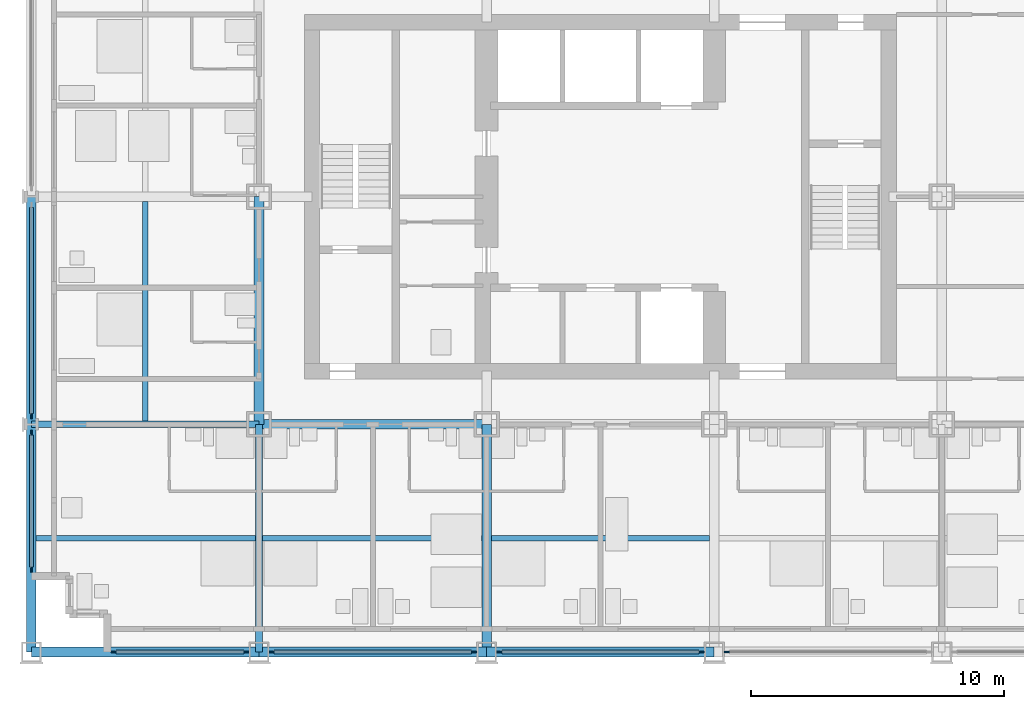
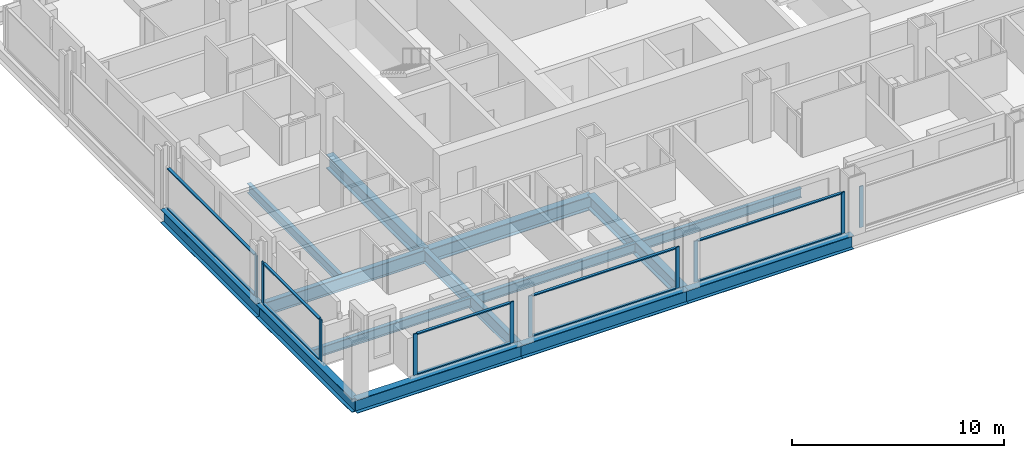
# One storey, part 2 of 19: 20 members, 14 beams, 6 elements without a shape of their own.
"""IFC4 building model written with IfcOpenShell, lengths in metres."""

from ifc_helpers import new_model, si_unit, direction, frame, origin, origin_2d, place, context, subcontext, project, spatial, rectangle, i_section, extrude, material, material_profile, profile_set, type_object, element, aggregate, save


model = new_model("IFC4")

# Units and contexts
model_context = context("Model", 3, precision=1e-05, world=origin(), true_north=direction((0.0, 1.0)))
body_context = subcontext(model_context, "Body", "Model", "MODEL_VIEW")
ifc_project = project(units=[si_unit("LENGTHUNIT", "METRE"), si_unit("AREAUNIT", "SQUARE_METRE"), si_unit("VOLUMEUNIT", "CUBIC_METRE"), si_unit("PLANEANGLEUNIT", "RADIAN"), si_unit("MASSUNIT", "GRAM", prefix="KILO")], contexts=[model_context])

# Site, building, storey
site_placement = place(None, origin())
site = spatial("IfcSite", under=ifc_project, at=site_placement, CompositionType="ELEMENT")
building_placement = place(site_placement, origin())
building = spatial("IfcBuilding", under=site, at=building_placement, Name="Loomwork Tower", CompositionType="ELEMENT")
storey_placement = place(building_placement, frame((0.0, 0.0, 85.800048828125)))
storey = spatial("IfcBuildingStorey", under=building, at=storey_placement, Name="L22", CompositionType="ELEMENT", Elevation=85.800048828125)

# Beams
ifc_material_1 = material(Name="Steel ASTM A992", Category="steel")
ifc_material_profile_1 = material_profile(ifc_material_1, i_section(OverallWidth=0.383544921875, OverallDepth=0.794921875, WebThickness=0.02099609375, FlangeThickness=0.0380859375, at=origin_2d()), Name="W30x235")
ifc_profile_set_1 = profile_set([ifc_material_profile_1], Name="Steel ASTM A992")
beam_type_1 = type_object("IfcBeamType", Name="CORE FLANK GIRDER W30x235", PredefinedType="BEAM", material=ifc_profile_set_1)
for number, where, z_axis, x_axis, name in (
    (1, (9.0, 9.0, -0.59765625), (1.0, 0.0, 0.0), (0.0, 1.0, 0.0), "Core Flank Girder E/3-E/4 L22"),
    (2, (9.0, 9.0, -0.59765625), (0.0, 1.0, 0.0), (-1.0, 0.0, 0.0), "Core Flank Girder E/3-F/3 L22"),
    (3, (18.0, 0.0, -0.59765625), (0.0, 1.0, 0.0), (-1.0, 0.0, 0.0), "Core Flank Girder D/4-E/4 L22"),
):
    element("IfcBeam", number, at=place(storey_placement, frame(where, z_axis=z_axis, x_axis=x_axis)), inside=storey, type_object=beam_type_1, Name=name, PredefinedType="BEAM", context=body_context, shape_type="SweptSolid", body=[
        extrude(i_section(OverallWidth=0.383544921875, OverallDepth=0.794921875, WebThickness=0.02099609375, FlangeThickness=0.0380859375, at=origin_2d()), origin(), (0.0, 0.0, 1.0), 9.0),
    ])
ifc_material_2 = material(Name="Steel ASTM A992", Category="steel")
ifc_material_profile_2 = material_profile(ifc_material_2, i_section(OverallWidth=0.2666015625, OverallDepth=0.761962890625, WebThickness=0.014404296875, FlangeThickness=0.021484375, at=origin_2d()), Name="W30x116")
ifc_profile_set_2 = profile_set([ifc_material_profile_2], Name="Steel ASTM A992")
beam_type_2 = type_object("IfcBeamType", Name="FLOOR GIRDER W30x116", PredefinedType="BEAM", material=ifc_profile_set_2)
for number, where, z_axis, x_axis, name in (
    (4, (0.0, 9.0, -0.5810546875), (1.0, 0.0, 0.0), (0.0, 1.0, 0.0), "Floor Girder E/2-E/3 L22"),
    (5, (9.0, 0.0, -0.5810546875), (0.0, 1.0, 0.0), (-1.0, 0.0, 0.0), "Floor Girder D/3-E/3 L22"),
):
    element("IfcBeam", number, at=place(storey_placement, frame(where, z_axis=z_axis, x_axis=x_axis)), inside=storey, type_object=beam_type_2, Name=name, PredefinedType="BEAM", context=body_context, shape_type="SweptSolid", body=[
        extrude(i_section(OverallWidth=0.2666015625, OverallDepth=0.761962890625, WebThickness=0.014404296875, FlangeThickness=0.021484375, at=origin_2d()), origin(), (0.0, 0.0, 1.0), 9.0),
    ])
ifc_material_3 = material(Name="Steel ASTM A992", Category="steel")
ifc_material_profile_3 = material_profile(ifc_material_3, i_section(OverallWidth=0.2109375, OverallDepth=0.53857421875, WebThickness=0.011474609375, FlangeThickness=0.018798828125, at=origin_2d()), Name="W21x73")
ifc_profile_set_3 = profile_set([ifc_material_profile_3], Name="Steel ASTM A992")
beam_type_3 = type_object("IfcBeamType", Name="FLOOR JOIST W21x73", PredefinedType="JOIST", material=ifc_profile_set_3)
beam_1_placement = place(storey_placement, frame((0.18994140625, 4.5, -0.46923828125), z_axis=(1.0, 0.0, 0.0), x_axis=(0.0, 1.0, 0.0)))
element("IfcBeam", 6, at=beam_1_placement, inside=storey, type_object=beam_type_3, Name="Floor Joist 0.000,4.500-9.000,4.500 L22", PredefinedType="JOIST", context=body_context, shape_type="SweptSolid", body=[
    extrude(i_section(OverallWidth=0.2109375, OverallDepth=0.53857421875, WebThickness=0.011474609375, FlangeThickness=0.018798828125, at=origin_2d()), origin(), (0.0, 0.0, 1.0), 8.677001953125),
])
for number, where, z_axis, x_axis, name in (
    (7, (4.5, 9.133056640625, -0.46923828125), (0.0, 1.0, 0.0), (-1.0, 0.0, 0.0), "Floor Joist 4.500,9.000-4.500,18.000 L22"),
    (8, (9.133056640625, 4.5, -0.46923828125), (1.0, 0.0, 0.0), (0.0, 1.0, 0.0), "Floor Joist 9.000,4.500-18.000,4.500 L22"),
):
    element("IfcBeam", number, at=place(storey_placement, frame(where, z_axis=z_axis, x_axis=x_axis)), inside=storey, type_object=beam_type_3, Name=name, PredefinedType="JOIST", context=body_context, shape_type="SweptSolid", body=[
        extrude(i_section(OverallWidth=0.2109375, OverallDepth=0.53857421875, WebThickness=0.011474609375, FlangeThickness=0.018798828125, at=origin_2d()), origin(), (0.0, 0.0, 1.0), 8.676025390625),
    ])
beam_2_placement = place(storey_placement, frame((18.19091796875, 4.5, -0.46923828125), z_axis=(1.0, 0.0, 0.0), x_axis=(0.0, 1.0, 0.0)))
element("IfcBeam", 9, at=beam_2_placement, inside=storey, type_object=beam_type_3, Name="Floor Joist 18.000,4.500-27.000,4.500 L22", PredefinedType="JOIST", context=body_context, shape_type="SweptSolid", body=[
    extrude(i_section(OverallWidth=0.2109375, OverallDepth=0.53857421875, WebThickness=0.011474609375, FlangeThickness=0.018798828125, at=origin_2d()), origin(), (0.0, 0.0, 1.0), 8.6181640625),
])

# Curtain wall, members
ifc_material_4 = material(Name="Aluminium curtain wall frame", Category="aluminium")
curtain_wall_type = type_object("IfcCurtainWallType", Name="Outer skin glazing hotel", PredefinedType="NOTDEFINED", material=ifc_material_4)
curtain_wall_1_placement = place(storey_placement, origin())
curtain_wall_1 = element("IfcCurtainWall", 10, at=curtain_wall_1_placement, inside=storey, type_object=curtain_wall_type, Name="Outer skin glazing hotel cw/S-0", PredefinedType="NOTDEFINED")
ifc_material_5 = material(Name="Aluminium curtain wall frame", Category="aluminium")
ifc_material_profile_4 = material_profile(ifc_material_5, rectangle(XDim=0.06494140625, YDim=0.199951171875, at=origin_2d()), Name="AL 65x200")
ifc_profile_set_4 = profile_set([ifc_material_profile_4], Name="Aluminium curtain wall frame")
member_type_1 = type_object("IfcMemberType", Name="Outer skin glazing hotel mullion", PredefinedType="MULLION", material=ifc_profile_set_4)
member_1_placement = place(storey_placement, frame((3.25, 0.0, 0.0), z_axis=(0.0, 0.0, 1.0), x_axis=(0.0, 1.0, 0.0)))
member_1 = element("IfcMember", 11, at=member_1_placement, type_object=member_type_1, Name="CW1 mullion 1", PredefinedType="MULLION", context=body_context, shape_type="SweptSolid", body=[
    extrude(rectangle(XDim=0.06494140625, YDim=0.199951171875, at=origin_2d()), origin(), (0.0, 0.0, 1.0), 2.3701171875),
])
member_2_placement = place(storey_placement, frame((8.5, 0.0, 0.0), z_axis=(0.0, 0.0, 1.0), x_axis=(0.0, 1.0, 0.0)))
member_2 = element("IfcMember", 12, at=member_2_placement, type_object=member_type_1, Name="CW1 mullion 2", PredefinedType="MULLION", context=body_context, shape_type="SweptSolid", body=[
    extrude(rectangle(XDim=0.06494140625, YDim=0.199951171875, at=origin_2d()), origin(), (0.0, 0.0, 1.0), 2.3701171875),
])

curtain_wall_2_placement = place(storey_placement, origin())
curtain_wall_2 = element("IfcCurtainWall", 13, at=curtain_wall_2_placement, inside=storey, type_object=curtain_wall_type, Name="Outer skin glazing hotel cw/S-9", PredefinedType="NOTDEFINED")
member_3_placement = place(storey_placement, frame((9.5, 0.0, 0.0), z_axis=(0.0, 0.0, 1.0), x_axis=(0.0, 1.0, 0.0)))
member_3 = element("IfcMember", 14, at=member_3_placement, type_object=member_type_1, Name="CW1 mullion 1", PredefinedType="MULLION", context=body_context, shape_type="SweptSolid", body=[
    extrude(rectangle(XDim=0.06494140625, YDim=0.199951171875, at=origin_2d()), origin(), (0.0, 0.0, 1.0), 2.3701171875),
])
member_4_placement = place(storey_placement, frame((17.5, 0.0, 0.0), z_axis=(0.0, 0.0, 1.0), x_axis=(0.0, 1.0, 0.0)))
member_4 = element("IfcMember", 15, at=member_4_placement, type_object=member_type_1, Name="CW1 mullion 2", PredefinedType="MULLION", context=body_context, shape_type="SweptSolid", body=[
    extrude(rectangle(XDim=0.06494140625, YDim=0.199951171875, at=origin_2d()), origin(), (0.0, 0.0, 1.0), 2.3701171875),
])

curtain_wall_3_placement = place(storey_placement, origin())
curtain_wall_3 = element("IfcCurtainWall", 16, at=curtain_wall_3_placement, inside=storey, type_object=curtain_wall_type, Name="Outer skin glazing hotel cw/S-18", PredefinedType="NOTDEFINED")
member_5_placement = place(storey_placement, frame((18.5, 0.0, 0.0), z_axis=(0.0, 0.0, 1.0), x_axis=(0.0, 1.0, 0.0)))
member_5 = element("IfcMember", 17, at=member_5_placement, type_object=member_type_1, Name="CW1 mullion 1", PredefinedType="MULLION", context=body_context, shape_type="SweptSolid", body=[
    extrude(rectangle(XDim=0.06494140625, YDim=0.199951171875, at=origin_2d()), origin(), (0.0, 0.0, 1.0), 2.3701171875),
])
member_6_placement = place(storey_placement, frame((26.5, 0.0, 0.0), z_axis=(0.0, 0.0, 1.0), x_axis=(0.0, 1.0, 0.0)))
member_6 = element("IfcMember", 18, at=member_6_placement, type_object=member_type_1, Name="CW1 mullion 2", PredefinedType="MULLION", context=body_context, shape_type="SweptSolid", body=[
    extrude(rectangle(XDim=0.06494140625, YDim=0.199951171875, at=origin_2d()), origin(), (0.0, 0.0, 1.0), 2.3701171875),
])

# Curtain wall, member
curtain_wall_4_placement = place(storey_placement, origin())
curtain_wall_4 = element("IfcCurtainWall", 19, at=curtain_wall_4_placement, inside=storey, type_object=curtain_wall_type, Name="Outer skin glazing hotel cw/S-27", PredefinedType="NOTDEFINED")
member_7_placement = place(storey_placement, frame((27.5, 0.0, 0.0), z_axis=(0.0, 0.0, 1.0), x_axis=(0.0, 1.0, 0.0)))
member_7 = element("IfcMember", 20, at=member_7_placement, type_object=member_type_1, Name="CW1 mullion 1", PredefinedType="MULLION", context=body_context, shape_type="SweptSolid", body=[
    extrude(rectangle(XDim=0.06494140625, YDim=0.199951171875, at=origin_2d()), origin(), (0.0, 0.0, 1.0), 2.3701171875),
])
aggregate(curtain_wall_4, [member_7])

# Curtain wall, members
curtain_wall_5_placement = place(storey_placement, origin())
curtain_wall_5 = element("IfcCurtainWall", 21, at=curtain_wall_5_placement, inside=storey, type_object=curtain_wall_type, Name="Outer skin glazing hotel cw/W-0", PredefinedType="NOTDEFINED")
member_8_placement = place(storey_placement, frame((0.0, 8.672607421875, 0.0), z_axis=(0.0, 0.0, 1.0), x_axis=(1.0, 0.0, 0.0)))
member_8 = element("IfcMember", 22, at=member_8_placement, type_object=member_type_1, Name="CW1 mullion 1", PredefinedType="MULLION", context=body_context, shape_type="SweptSolid", body=[
    extrude(rectangle(XDim=0.06494140625, YDim=0.199951171875, at=origin_2d()), origin(), (0.0, 0.0, 1.0), 2.3701171875),
])
member_9_placement = place(storey_placement, frame((0.0, 3.25, 0.0), z_axis=(0.0, 0.0, 1.0), x_axis=(1.0, 0.0, 0.0)))
member_9 = element("IfcMember", 23, at=member_9_placement, type_object=member_type_1, Name="CW1 mullion 2", PredefinedType="MULLION", context=body_context, shape_type="SweptSolid", body=[
    extrude(rectangle(XDim=0.06494140625, YDim=0.199951171875, at=origin_2d()), origin(), (0.0, 0.0, 1.0), 2.3701171875),
])

# Curtain wall, member
curtain_wall_6_placement = place(storey_placement, origin())
curtain_wall_6 = element("IfcCurtainWall", 24, at=curtain_wall_6_placement, inside=storey, type_object=curtain_wall_type, Name="Outer skin glazing hotel cw/W-9", PredefinedType="NOTDEFINED")
member_10_placement = place(storey_placement, frame((0.0, 9.327392578125, 0.0), z_axis=(0.0, 0.0, 1.0), x_axis=(1.0, 0.0, 0.0)))
member_10 = element("IfcMember", 25, at=member_10_placement, type_object=member_type_1, Name="CW1 mullion 2", PredefinedType="MULLION", context=body_context, shape_type="SweptSolid", body=[
    extrude(rectangle(XDim=0.06494140625, YDim=0.199951171875, at=origin_2d()), origin(), (0.0, 0.0, 1.0), 2.3701171875),
])

# Member
ifc_material_6 = material(Name="Aluminium curtain wall frame", Category="aluminium")
ifc_material_profile_5 = material_profile(ifc_material_6, rectangle(XDim=0.14990234375, YDim=0.06494140625, at=origin_2d()), Name="AL 65x150")
ifc_profile_set_5 = profile_set([ifc_material_profile_5], Name="Aluminium curtain wall frame")
member_type_2 = type_object("IfcMemberType", Name="Outer skin glazing hotel transom", PredefinedType="USERDEFINED", material=ifc_profile_set_5)
member_11_placement = place(storey_placement, frame((3.35009765625, 0.0, 0.032470703125), z_axis=(1.0, 0.0, 0.0), x_axis=(0.0, 1.0, 0.0)))
member_11 = element("IfcMember", 26, at=member_11_placement, type_object=member_type_2, Name="CW1 transom 1.1", ObjectType="TRANSOM", PredefinedType="USERDEFINED", context=body_context, shape_type="SweptSolid", body=[
    extrude(rectangle(XDim=0.14990234375, YDim=0.06494140625, at=origin_2d()), origin(), (0.0, 0.0, 1.0), 5.0498046875),
])

member_12_placement = place(storey_placement, frame((3.35009765625, 0.0, 2.337646484375), z_axis=(1.0, 0.0, 0.0), x_axis=(0.0, 1.0, 0.0)))
member_12 = element("IfcMember", 27, at=member_12_placement, type_object=member_type_2, Name="CW1 transom 1.2", ObjectType="TRANSOM", PredefinedType="USERDEFINED", context=body_context, shape_type="SweptSolid", body=[
    extrude(rectangle(XDim=0.14990234375, YDim=0.06494140625, at=origin_2d()), origin(), (0.0, 0.0, 1.0), 5.0498046875),
])

aggregate(curtain_wall_1, [member_1, member_2, member_11, member_12])

member_13_placement = place(storey_placement, frame((9.60009765625, 0.0, 0.032470703125), z_axis=(1.0, 0.0, 0.0), x_axis=(0.0, 1.0, 0.0)))
member_13 = element("IfcMember", 28, at=member_13_placement, type_object=member_type_2, Name="CW1 transom 1.1", ObjectType="TRANSOM", PredefinedType="USERDEFINED", context=body_context, shape_type="SweptSolid", body=[
    extrude(rectangle(XDim=0.14990234375, YDim=0.06494140625, at=origin_2d()), origin(), (0.0, 0.0, 1.0), 7.7998046875),
])

member_14_placement = place(storey_placement, frame((9.60009765625, 0.0, 2.337646484375), z_axis=(1.0, 0.0, 0.0), x_axis=(0.0, 1.0, 0.0)))
member_14 = element("IfcMember", 29, at=member_14_placement, type_object=member_type_2, Name="CW1 transom 1.2", ObjectType="TRANSOM", PredefinedType="USERDEFINED", context=body_context, shape_type="SweptSolid", body=[
    extrude(rectangle(XDim=0.14990234375, YDim=0.06494140625, at=origin_2d()), origin(), (0.0, 0.0, 1.0), 7.7998046875),
])

aggregate(curtain_wall_2, [member_3, member_4, member_13, member_14])

member_15_placement = place(storey_placement, frame((18.60009765625, 0.0, 0.032470703125), z_axis=(1.0, 0.0, 0.0), x_axis=(0.0, 1.0, 0.0)))
member_15 = element("IfcMember", 30, at=member_15_placement, type_object=member_type_2, Name="CW1 transom 1.1", ObjectType="TRANSOM", PredefinedType="USERDEFINED", context=body_context, shape_type="SweptSolid", body=[
    extrude(rectangle(XDim=0.14990234375, YDim=0.06494140625, at=origin_2d()), origin(), (0.0, 0.0, 1.0), 7.7998046875),
])

member_16_placement = place(storey_placement, frame((18.60009765625, 0.0, 2.337646484375), z_axis=(1.0, 0.0, 0.0), x_axis=(0.0, 1.0, 0.0)))
member_16 = element("IfcMember", 31, at=member_16_placement, type_object=member_type_2, Name="CW1 transom 1.2", ObjectType="TRANSOM", PredefinedType="USERDEFINED", context=body_context, shape_type="SweptSolid", body=[
    extrude(rectangle(XDim=0.14990234375, YDim=0.06494140625, at=origin_2d()), origin(), (0.0, 0.0, 1.0), 7.7998046875),
])

aggregate(curtain_wall_3, [member_5, member_6, member_15, member_16])

member_17_placement = place(storey_placement, frame((0.0, 8.57275390625, 0.032470703125), z_axis=(0.0, -1.0, 0.0), x_axis=(1.0, 0.0, 0.0)))
member_17 = element("IfcMember", 32, at=member_17_placement, type_object=member_type_2, Name="CW1 transom 1.1", ObjectType="TRANSOM", PredefinedType="USERDEFINED", context=body_context, shape_type="SweptSolid", body=[
    extrude(rectangle(XDim=0.14990234375, YDim=0.06494140625, at=origin_2d()), origin(), (0.0, 0.0, 1.0), 5.22265625),
])

member_18_placement = place(storey_placement, frame((0.0, 8.57275390625, 2.337646484375), z_axis=(0.0, -1.0, 0.0), x_axis=(1.0, 0.0, 0.0)))
member_18 = element("IfcMember", 33, at=member_18_placement, type_object=member_type_2, Name="CW1 transom 1.2", ObjectType="TRANSOM", PredefinedType="USERDEFINED", context=body_context, shape_type="SweptSolid", body=[
    extrude(rectangle(XDim=0.14990234375, YDim=0.06494140625, at=origin_2d()), origin(), (0.0, 0.0, 1.0), 5.22265625),
])

aggregate(curtain_wall_5, [member_8, member_9, member_17, member_18])

member_19_placement = place(storey_placement, frame((0.0, 17.57275390625, 0.032470703125), z_axis=(0.0, -1.0, 0.0), x_axis=(1.0, 0.0, 0.0)))
member_19 = element("IfcMember", 34, at=member_19_placement, type_object=member_type_2, Name="CW1 transom 1.1", ObjectType="TRANSOM", PredefinedType="USERDEFINED", context=body_context, shape_type="SweptSolid", body=[
    extrude(rectangle(XDim=0.14990234375, YDim=0.06494140625, at=origin_2d()), origin(), (0.0, 0.0, 1.0), 8.1455078125),
])

member_20_placement = place(storey_placement, frame((0.0, 17.57275390625, 2.337646484375), z_axis=(0.0, -1.0, 0.0), x_axis=(1.0, 0.0, 0.0)))
member_20 = element("IfcMember", 35, at=member_20_placement, type_object=member_type_2, Name="CW1 transom 1.2", ObjectType="TRANSOM", PredefinedType="USERDEFINED", context=body_context, shape_type="SweptSolid", body=[
    extrude(rectangle(XDim=0.14990234375, YDim=0.06494140625, at=origin_2d()), origin(), (0.0, 0.0, 1.0), 8.1455078125),
])

aggregate(curtain_wall_6, [member_10, member_19, member_20])

# Beams
ifc_material_7 = material(Name="Steel ASTM A992", Category="steel")
ifc_material_profile_6 = material_profile(ifc_material_7, i_section(OverallWidth=0.381103515625, OverallDepth=0.77978515625, WebThickness=0.01806640625, FlangeThickness=0.0302734375, at=origin_2d()), Name="W30x191")
ifc_profile_set_6 = profile_set([ifc_material_profile_6], Name="Steel ASTM A992")
beam_type_4 = type_object("IfcBeamType", Name="SPANDREL GIRDER W30x191", PredefinedType="SPANDREL", material=ifc_profile_set_6)
for number, where, z_axis, x_axis, name in (
    (36, (0.0, 0.0, -0.58984375), (1.0, 0.0, 0.0), (0.0, 1.0, 0.0), "Spandrel Girder D/2-D/3 L22"),
    (37, (9.0, 0.0, -0.58984375), (1.0, 0.0, 0.0), (0.0, 1.0, 0.0), "Spandrel Girder D/3-D/4 L22"),
    (38, (18.0, 0.0, -0.58984375), (1.0, 0.0, 0.0), (0.0, 1.0, 0.0), "Spandrel Girder D/4-D/5 L22"),
    (39, (0.0, 0.0, -0.58984375), (0.0, 1.0, 0.0), (-1.0, 0.0, 0.0), "Spandrel Girder D/2-E/2 L22"),
    (40, (0.0, 9.0, -0.58984375), (0.0, 1.0, 0.0), (-1.0, 0.0, 0.0), "Spandrel Girder E/2-F/2 L22"),
):
    element("IfcBeam", number, at=place(storey_placement, frame(where, z_axis=z_axis, x_axis=x_axis)), inside=storey, type_object=beam_type_4, Name=name, PredefinedType="SPANDREL", context=body_context, shape_type="SweptSolid", body=[
        extrude(i_section(OverallWidth=0.381103515625, OverallDepth=0.77978515625, WebThickness=0.01806640625, FlangeThickness=0.0302734375, at=origin_2d()), origin(), (0.0, 0.0, 1.0), 9.0),
    ])

save(model, "model.ifc")
